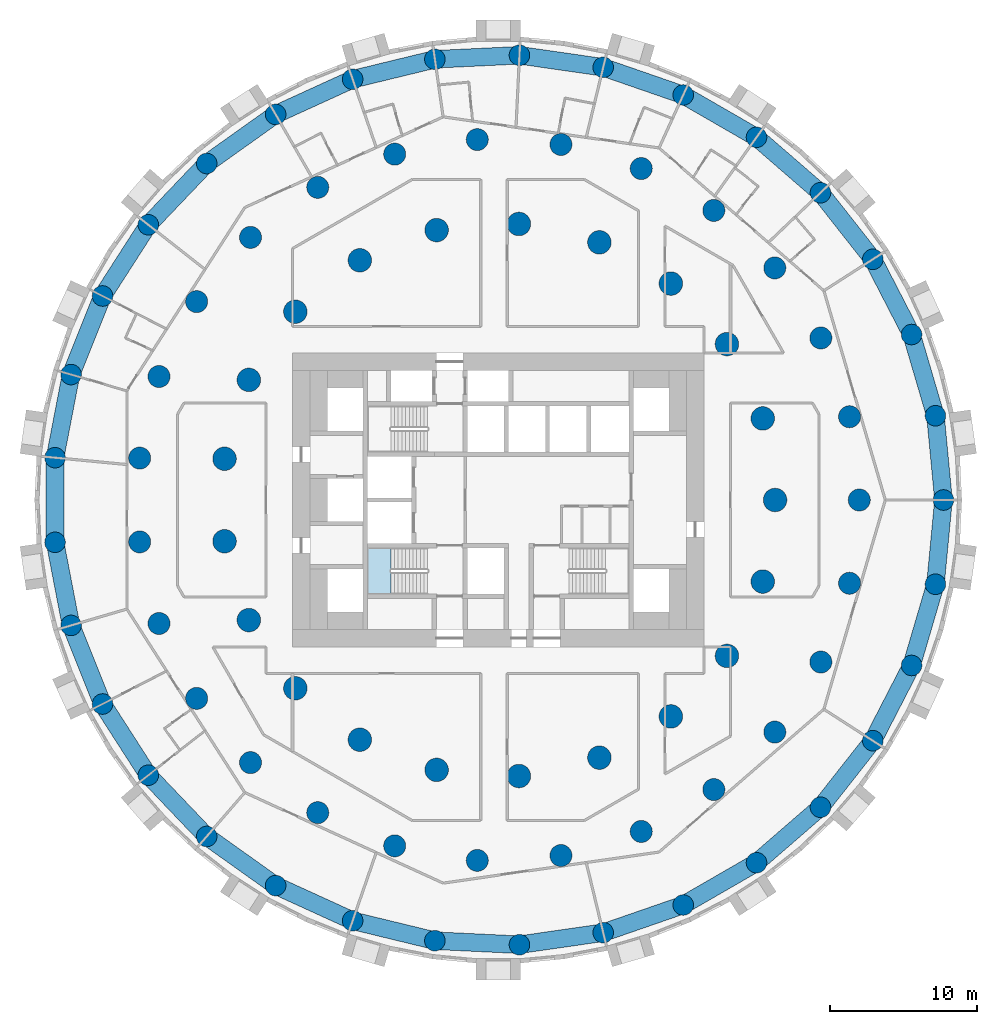
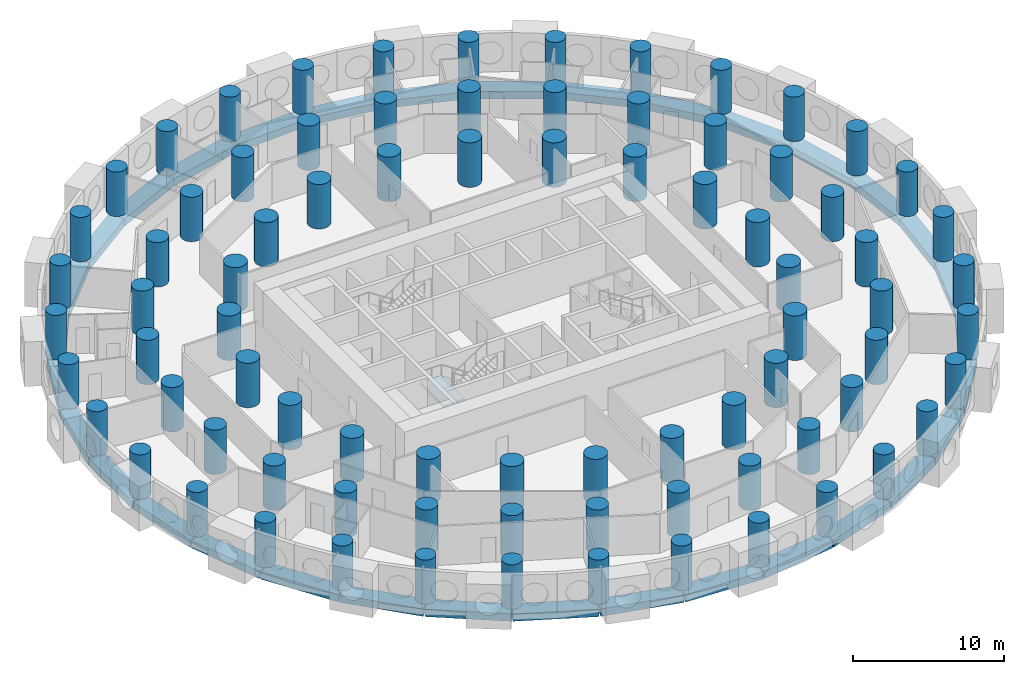
# One storey, part 1 of 12: 81 columns, 33 beams, 1 slab, 1 element without a shape of its own.
"""IFC4 building model written with IfcOpenShell, lengths in metres."""

from ifc_helpers import new_model, si_unit, direction, frame, origin, origin_2d, place, context, subcontext, project, spatial, polyline, rectangle, circle, outline, extrude, material, layer, layer_set, material_profile, profile_set, type_object, element, aggregate, save


model = new_model("IFC4")

# Units and contexts
model_context = context("Model", 3, precision=1e-05, world=origin(), true_north=direction((0.0, 1.0)))
body_context = subcontext(model_context, "Body", "Model", "MODEL_VIEW")
ifc_project = project(units=[si_unit("LENGTHUNIT", "METRE"), si_unit("AREAUNIT", "SQUARE_METRE"), si_unit("VOLUMEUNIT", "CUBIC_METRE"), si_unit("PLANEANGLEUNIT", "RADIAN"), si_unit("MASSUNIT", "GRAM", prefix="KILO")], contexts=[model_context])

# Site, building, storey
site_placement = place(None, origin())
site = spatial("IfcSite", under=ifc_project, at=site_placement, CompositionType="ELEMENT")
building_placement = place(site_placement, origin())
building = spatial("IfcBuilding", under=site, at=building_placement, Name="Tracery Tower", CompositionType="ELEMENT")
storey_placement = place(building_placement, frame((0.0, 0.0, 49.800048828125)))
storey = spatial("IfcBuildingStorey", under=building, at=storey_placement, Name="L11", CompositionType="ELEMENT", Elevation=49.800048828125)

# Columns
ifc_material_1 = material(Name="Concrete C60/75", Category="concrete")
ifc_material_profile_1 = material_profile(ifc_material_1, circle(Radius=0.699951171875, at=origin_2d()), Name="RC D1400")
ifc_profile_set_1 = profile_set([ifc_material_profile_1], Name="Concrete C60/75")
column_type_1 = type_object("IfcColumnType", Name="Ring 0 column 1400", PredefinedType="COLUMN", material=ifc_profile_set_1)
for number, where, z_axis, x_axis, name in (
    (1, (30.274658203125, 0.0, 0.0), (0.0, 0.0, 1.0), (1.0, 0.0, 0.0), "Ring 0 column 00 at L11"),
    (2, (29.7275390625, 5.7294921875, 0.0), (0.0, 0.0, 1.0), (1.0, 0.0, 0.0), "Ring 0 column 01 at L11"),
    (3, (28.10595703125, 11.251953125, 0.0), (0.0, 0.0, 1.0), (1.0, 0.0, 0.0), "Ring 0 column 02 at L11"),
    (4, (25.468505859375, 16.36767578125, 0.0), (0.0, 0.0, 1.0), (1.0, 0.0, 0.0), "Ring 0 column 03 at L11"),
    (5, (21.910888671875, 20.891845703125, 0.0), (0.0, 0.0, 1.0), (1.0, 0.0, 0.0), "Ring 0 column 04 at L11"),
    (6, (17.56103515625, 24.660888671875, 0.0), (0.0, 0.0, 1.0), (1.0, 0.0, 0.0), "Ring 0 column 05 at L11"),
    (7, (12.576416015625, 27.538818359375, 0.0), (0.0, 0.0, 1.0), (1.0, 0.0, 0.0), "Ring 0 column 06 at L11"),
    (8, (7.137451171875, 29.421142578125, 0.0), (0.0, 0.0, 1.0), (1.0, 0.0, 0.0), "Ring 0 column 07 at L11"),
    (9, (1.4404296875, 30.240234375, 0.0), (0.0, 0.0, 1.0), (1.0, 0.0, 0.0), "Ring 0 column 08 at L11"),
    (10, (-4.30859375, 29.96630859375, 0.0), (0.0, 0.0, 1.0), (1.0, 0.0, 0.0), "Ring 0 column 09 at L11"),
    (11, (-9.90185546875, 28.609619140625, 0.0), (0.0, 0.0, 1.0), (1.0, 0.0, 0.0), "Ring 0 column 10 at L11"),
    (12, (-15.13720703125, 26.218505859375, 0.0), (0.0, 0.0, 1.0), (1.0, 0.0, 0.0), "Ring 0 column 11 at L11"),
    (13, (-19.82568359375, 22.8798828125, 0.0), (0.0, 0.0, 1.0), (1.0, 0.0, 0.0), "Ring 0 column 12 at L11"),
    (14, (-23.79736328125, 18.714599609375, 0.0), (0.0, 0.0, 1.0), (1.0, 0.0, 0.0), "Ring 0 column 13 at L11"),
    (15, (-26.9091796875, 13.87255859375, 0.0), (0.0, 0.0, 1.0), (1.0, 0.0, 0.0), "Ring 0 column 14 at L11"),
    (16, (-29.04833984375, 8.529296875, 0.0), (0.0, 0.0, 1.0), (1.0, 0.0, 0.0), "Ring 0 column 15 at L11"),
    (17, (-30.137451171875, 2.877685546875, 0.0), (0.0, 0.0, 1.0), (1.0, 0.0, 0.0), "Ring 0 column 16 at L11"),
    (18, (-30.137451171875, -2.877685546875, 0.0), (0.0, 0.0, 1.0), (1.0, 0.0, 0.0), "Ring 0 column 17 at L11"),
    (19, (-29.04833984375, -8.529296875, 0.0), (0.0, 0.0, 1.0), (1.0, 0.0, 0.0), "Ring 0 column 18 at L11"),
    (20, (-26.9091796875, -13.87255859375, 0.0), (0.0, 0.0, 1.0), (1.0, 0.0, 0.0), "Ring 0 column 19 at L11"),
    (21, (-23.79736328125, -18.714599609375, 0.0), (0.0, 0.0, 1.0), (1.0, 0.0, 0.0), "Ring 0 column 20 at L11"),
    (22, (-19.82568359375, -22.8798828125, 0.0), (0.0, 0.0, 1.0), (1.0, 0.0, 0.0), "Ring 0 column 21 at L11"),
    (23, (-15.13720703125, -26.218505859375, 0.0), (0.0, 0.0, 1.0), (1.0, 0.0, 0.0), "Ring 0 column 22 at L11"),
    (24, (-9.90185546875, -28.609619140625, 0.0), (0.0, 0.0, 1.0), (1.0, 0.0, 0.0), "Ring 0 column 23 at L11"),
    (25, (-4.30859375, -29.96630859375, 0.0), (0.0, 0.0, 1.0), (1.0, 0.0, 0.0), "Ring 0 column 24 at L11"),
    (26, (1.4404296875, -30.240234375, 0.0), (0.0, 0.0, 1.0), (1.0, 0.0, 0.0), "Ring 0 column 25 at L11"),
    (27, (7.137451171875, -29.421142578125, 0.0), (0.0, 0.0, 1.0), (1.0, 0.0, 0.0), "Ring 0 column 26 at L11"),
    (28, (12.576416015625, -27.538818359375, 0.0), (0.0, 0.0, 1.0), (1.0, 0.0, 0.0), "Ring 0 column 27 at L11"),
    (29, (17.56103515625, -24.660888671875, 0.0), (0.0, 0.0, 1.0), (1.0, 0.0, 0.0), "Ring 0 column 28 at L11"),
    (30, (21.910888671875, -20.891845703125, 0.0), (0.0, 0.0, 1.0), (1.0, 0.0, 0.0), "Ring 0 column 29 at L11"),
    (31, (25.468505859375, -16.36767578125, 0.0), (0.0, 0.0, 1.0), (1.0, 0.0, 0.0), "Ring 0 column 30 at L11"),
    (32, (28.10595703125, -11.251953125, 0.0), (0.0, 0.0, 1.0), (1.0, 0.0, 0.0), "Ring 0 column 31 at L11"),
    (33, (29.7275390625, -5.7294921875, 0.0), (0.0, 0.0, 1.0), (1.0, 0.0, 0.0), "Ring 0 column 32 at L11"),
):
    element("IfcColumn", number, at=place(storey_placement, frame(where, z_axis=z_axis, x_axis=x_axis)), inside=storey, type_object=column_type_1, Name=name, PredefinedType="COLUMN", context=body_context, shape_type="SweptSolid", body=[
        extrude(circle(Radius=0.699951171875, at=origin_2d()), origin(), (0.0, 0.0, 1.0), 3.599853515625),
    ])
ifc_material_2 = material(Name="Concrete C60/75", Category="concrete")
ifc_material_profile_2 = material_profile(ifc_material_2, circle(Radius=0.75, at=origin_2d()), Name="RC D1500")
ifc_profile_set_2 = profile_set([ifc_material_profile_2], Name="Concrete C60/75")
column_type_2 = type_object("IfcColumnType", Name="Ring 1 column 1500", PredefinedType="COLUMN", material=ifc_profile_set_2)
for number, where, z_axis, x_axis, name in (
    (34, (24.547607421875, 0.0, 0.0), (0.0, 0.0, 1.0), (1.0, 0.0, 0.0), "Ring 1 column 00 at L11"),
    (35, (23.885986328125, 5.6611328125, 0.0), (0.0, 0.0, 1.0), (1.0, 0.0, 0.0), "Ring 1 column 01 at L11"),
    (36, (21.9365234375, 11.01708984375, 0.0), (0.0, 0.0, 1.0), (1.0, 0.0, 0.0), "Ring 1 column 02 at L11"),
    (37, (18.8046875, 15.779052734375, 0.0), (0.0, 0.0, 1.0), (1.0, 0.0, 0.0), "Ring 1 column 03 at L11"),
    (38, (14.658935546875, 19.690185546875, 0.0), (0.0, 0.0, 1.0), (1.0, 0.0, 0.0), "Ring 1 column 04 at L11"),
    (39, (9.722900390625, 22.5400390625, 0.0), (0.0, 0.0, 1.0), (1.0, 0.0, 0.0), "Ring 1 column 05 at L11"),
    (40, (4.2626953125, 24.1748046875, 0.0), (0.0, 0.0, 1.0), (1.0, 0.0, 0.0), "Ring 1 column 06 at L11"),
    (41, (-1.42724609375, 24.506103515625, 0.0), (0.0, 0.0, 1.0), (1.0, 0.0, 0.0), "Ring 1 column 07 at L11"),
    (42, (-7.040283203125, 23.516357421875, 0.0), (0.0, 0.0, 1.0), (1.0, 0.0, 0.0), "Ring 1 column 08 at L11"),
    (43, (-12.273681640625, 21.2587890625, 0.0), (0.0, 0.0, 1.0), (1.0, 0.0, 0.0), "Ring 1 column 09 at L11"),
    (44, (-16.845703125, 17.855224609375, 0.0), (0.0, 0.0, 1.0), (1.0, 0.0, 0.0), "Ring 1 column 10 at L11"),
    (45, (-20.50927734375, 13.4892578125, 0.0), (0.0, 0.0, 1.0), (1.0, 0.0, 0.0), "Ring 1 column 11 at L11"),
    (46, (-23.0673828125, 8.395751953125, 0.0), (0.0, 0.0, 1.0), (1.0, 0.0, 0.0), "Ring 1 column 12 at L11"),
    (47, (-24.381591796875, 2.849853515625, 0.0), (0.0, 0.0, 1.0), (1.0, 0.0, 0.0), "Ring 1 column 13 at L11"),
    (48, (-24.381591796875, -2.849853515625, 0.0), (0.0, 0.0, 1.0), (1.0, 0.0, 0.0), "Ring 1 column 14 at L11"),
    (49, (-23.0673828125, -8.395751953125, 0.0), (0.0, 0.0, 1.0), (1.0, 0.0, 0.0), "Ring 1 column 15 at L11"),
    (50, (-20.50927734375, -13.4892578125, 0.0), (0.0, 0.0, 1.0), (1.0, 0.0, 0.0), "Ring 1 column 16 at L11"),
    (51, (-16.845703125, -17.85546875, 0.0), (0.0, 0.0, 1.0), (1.0, 0.0, 0.0), "Ring 1 column 17 at L11"),
    (52, (-12.27392578125, -21.2587890625, 0.0), (0.0, 0.0, 1.0), (1.0, 0.0, 0.0), "Ring 1 column 18 at L11"),
    (53, (-7.040283203125, -23.516357421875, 0.0), (0.0, 0.0, 1.0), (1.0, 0.0, 0.0), "Ring 1 column 19 at L11"),
    (54, (-1.42724609375, -24.506103515625, 0.0), (0.0, 0.0, 1.0), (1.0, 0.0, 0.0), "Ring 1 column 20 at L11"),
    (55, (4.2626953125, -24.1748046875, 0.0), (0.0, 0.0, 1.0), (1.0, 0.0, 0.0), "Ring 1 column 21 at L11"),
    (56, (9.722900390625, -22.5400390625, 0.0), (0.0, 0.0, 1.0), (1.0, 0.0, 0.0), "Ring 1 column 22 at L11"),
    (57, (14.658935546875, -19.690185546875, 0.0), (0.0, 0.0, 1.0), (1.0, 0.0, 0.0), "Ring 1 column 23 at L11"),
    (58, (18.8046875, -15.779052734375, 0.0), (0.0, 0.0, 1.0), (1.0, 0.0, 0.0), "Ring 1 column 24 at L11"),
    (59, (21.9365234375, -11.01708984375, 0.0), (0.0, 0.0, 1.0), (1.0, 0.0, 0.0), "Ring 1 column 25 at L11"),
    (60, (23.885986328125, -5.6611328125, 0.0), (0.0, 0.0, 1.0), (1.0, 0.0, 0.0), "Ring 1 column 26 at L11"),
):
    element("IfcColumn", number, at=place(storey_placement, frame(where, z_axis=z_axis, x_axis=x_axis)), inside=storey, type_object=column_type_2, Name=name, PredefinedType="COLUMN", context=body_context, shape_type="SweptSolid", body=[
        extrude(circle(Radius=0.75, at=origin_2d()), origin(), (0.0, 0.0, 1.0), 3.599853515625),
    ])
ifc_material_3 = material(Name="Concrete C60/75", Category="concrete")
ifc_material_profile_3 = material_profile(ifc_material_3, circle(Radius=0.800048828125, at=origin_2d()), Name="RC D1600")
ifc_profile_set_3 = profile_set([ifc_material_profile_3], Name="Concrete C60/75")
column_type_3 = type_object("IfcColumnType", Name="Ring 2 column 1600", PredefinedType="COLUMN", material=ifc_profile_set_3)
for number, where, z_axis, x_axis, name in (
    (61, (18.822265625, 0.0, 0.0), (0.0, 0.0, 1.0), (1.0, 0.0, 0.0), "Ring 2 column 00 at L11"),
    (62, (17.986083984375, 5.5478515625, 0.0), (0.0, 0.0, 1.0), (1.0, 0.0, 0.0), "Ring 2 column 01 at L11"),
    (63, (15.551513671875, 10.602783203125, 0.0), (0.0, 0.0, 1.0), (1.0, 0.0, 0.0), "Ring 2 column 02 at L11"),
    (64, (11.7353515625, 14.7158203125, 0.0), (0.0, 0.0, 1.0), (1.0, 0.0, 0.0), "Ring 2 column 03 at L11"),
    (65, (6.87646484375, 17.52099609375, 0.0), (0.0, 0.0, 1.0), (1.0, 0.0, 0.0), "Ring 2 column 04 at L11"),
    (66, (1.406494140625, 18.76953125, 0.0), (0.0, 0.0, 1.0), (1.0, 0.0, 0.0), "Ring 2 column 05 at L11"),
    (67, (-4.188232421875, 18.350341796875, 0.0), (0.0, 0.0, 1.0), (1.0, 0.0, 0.0), "Ring 2 column 06 at L11"),
    (68, (-9.4111328125, 16.300537109375, 0.0), (0.0, 0.0, 1.0), (1.0, 0.0, 0.0), "Ring 2 column 07 at L11"),
    (69, (-13.797607421875, 12.802490234375, 0.0), (0.0, 0.0, 1.0), (1.0, 0.0, 0.0), "Ring 2 column 08 at L11"),
    (70, (-16.958251953125, 8.16650390625, 0.0), (0.0, 0.0, 1.0), (1.0, 0.0, 0.0), "Ring 2 column 09 at L11"),
    (71, (-18.612060546875, 2.805419921875, 0.0), (0.0, 0.0, 1.0), (1.0, 0.0, 0.0), "Ring 2 column 10 at L11"),
    (72, (-18.612060546875, -2.805419921875, 0.0), (0.0, 0.0, 1.0), (1.0, 0.0, 0.0), "Ring 2 column 11 at L11"),
    (73, (-16.958251953125, -8.166748046875, 0.0), (0.0, 0.0, 1.0), (1.0, 0.0, 0.0), "Ring 2 column 12 at L11"),
    (74, (-13.797607421875, -12.80224609375, 0.0), (0.0, 0.0, 1.0), (1.0, 0.0, 0.0), "Ring 2 column 13 at L11"),
    (75, (-9.4111328125, -16.300537109375, 0.0), (0.0, 0.0, 1.0), (1.0, 0.0, 0.0), "Ring 2 column 14 at L11"),
    (76, (-4.188232421875, -18.350341796875, 0.0), (0.0, 0.0, 1.0), (1.0, 0.0, 0.0), "Ring 2 column 15 at L11"),
    (77, (1.406494140625, -18.76953125, 0.0), (0.0, 0.0, 1.0), (1.0, 0.0, 0.0), "Ring 2 column 16 at L11"),
    (78, (6.87646484375, -17.52099609375, 0.0), (0.0, 0.0, 1.0), (1.0, 0.0, 0.0), "Ring 2 column 17 at L11"),
    (79, (11.7353515625, -14.7158203125, 0.0), (0.0, 0.0, 1.0), (1.0, 0.0, 0.0), "Ring 2 column 18 at L11"),
    (80, (15.551513671875, -10.602783203125, 0.0), (0.0, 0.0, 1.0), (1.0, 0.0, 0.0), "Ring 2 column 19 at L11"),
    (81, (17.986083984375, -5.5478515625, 0.0), (0.0, 0.0, 1.0), (1.0, 0.0, 0.0), "Ring 2 column 20 at L11"),
):
    element("IfcColumn", number, at=place(storey_placement, frame(where, z_axis=z_axis, x_axis=x_axis)), inside=storey, type_object=column_type_3, Name=name, PredefinedType="COLUMN", context=body_context, shape_type="SweptSolid", body=[
        extrude(circle(Radius=0.800048828125, at=origin_2d()), origin(), (0.0, 0.0, 1.0), 3.599853515625),
    ])

# Beams
ifc_material_4 = material(Name="Concrete C60/75", Category="concrete")
ifc_material_profile_4 = material_profile(ifc_material_4, rectangle(XDim=1.199951171875, YDim=0.60009765625, at=origin_2d()), Name="RC 1200x600")
ifc_profile_set_4 = profile_set([ifc_material_profile_4], Name="Concrete C60/75")
beam_type = type_object("IfcBeamType", Name="Perimeter band beam 1200x600", PredefinedType="BEAM", material=ifc_profile_set_4)
for number, where, z_axis, x_axis, name in (
    (82, (30.274658203125, 0.0, -0.75), (-0.095059309677, 0.995471610667, 0.0), (-0.995471610667, -0.095059309677, 0.0), "Perimeter beam 0.00 under L11"),
    (83, (29.7275390625, 5.7294921875, -0.75), (-0.281739145896, 0.959491038869, 0.0), (-0.959491038869, -0.281739145896, 0.0), "Perimeter beam 0.01 under L11"),
    (84, (28.10595703125, 11.251953125, -0.75), (-0.458242010493, 0.88882746347, 0.0), (-0.88882746347, -0.458242010493, 0.0), "Perimeter beam 0.02 under L11"),
):
    element("IfcBeam", number, at=place(storey_placement, frame(where, z_axis=z_axis, x_axis=x_axis)), inside=storey, type_object=beam_type, Name=name, PredefinedType="BEAM", context=body_context, shape_type="SweptSolid", body=[
        extrude(rectangle(XDim=1.199951171875, YDim=0.60009765625, at=origin_2d()), origin(), (0.0, 0.0, 1.0), 5.755615234375),
    ])
beam_1_placement = place(storey_placement, frame((25.468505859375, 16.36767578125, -0.75), z_axis=(-0.618134362257, 0.786072458618, 0.0), x_axis=(-0.786072458618, -0.618134362257, 0.0)))
element("IfcBeam", 85, at=beam_1_placement, inside=storey, type_object=beam_type, Name="Perimeter beam 0.03 under L11", PredefinedType="BEAM", context=body_context, shape_type="SweptSolid", body=[
    extrude(rectangle(XDim=1.199951171875, YDim=0.60009765625, at=origin_2d()), origin(), (0.0, 0.0, 1.0), 5.75537109375),
])
beam_2_placement = place(storey_placement, frame((21.910888671875, 20.891845703125, -0.75), z_axis=(-0.755760456715, 0.65484817482, 0.0), x_axis=(-0.65484817482, -0.755760456715, 0.0)))
element("IfcBeam", 86, at=beam_2_placement, inside=storey, type_object=beam_type, Name="Perimeter beam 0.04 under L11", PredefinedType="BEAM", context=body_context, shape_type="SweptSolid", body=[
    extrude(rectangle(XDim=1.199951171875, YDim=0.60009765625, at=origin_2d()), origin(), (0.0, 0.0, 1.0), 5.755615234375),
])
beam_3_placement = place(storey_placement, frame((17.56103515625, 24.660888671875, -0.75), z_axis=(-0.866021003874, 0.50000762079, 0.0), x_axis=(-0.50000762079, -0.866021003874, 0.0)))
element("IfcBeam", 87, at=beam_3_placement, inside=storey, type_object=beam_type, Name="Perimeter beam 0.05 under L11", PredefinedType="BEAM", context=body_context, shape_type="SweptSolid", body=[
    extrude(rectangle(XDim=1.199951171875, YDim=0.60009765625, at=origin_2d()), origin(), (0.0, 0.0, 1.0), 5.755859375),
])
beam_4_placement = place(storey_placement, frame((12.576416015625, 27.538818359375, -0.75), z_axis=(-0.945007252869, 0.327049372458, 0.0), x_axis=(-0.327049372458, -0.945007252869, 0.0)))
element("IfcBeam", 88, at=beam_4_placement, inside=storey, type_object=beam_type, Name="Perimeter beam 0.06 under L11", PredefinedType="BEAM", context=body_context, shape_type="SweptSolid", body=[
    extrude(rectangle(XDim=1.199951171875, YDim=0.60009765625, at=origin_2d()), origin(), (0.0, 0.0, 1.0), 5.75537109375),
])
for number, where, z_axis, x_axis, name in (
    (89, (7.137451171875, 29.421142578125, -0.75), (-0.989821839174, 0.142312075013, 0.0), (-0.142312075013, -0.989821839174, 0.0), "Perimeter beam 0.07 under L11"),
    (90, (1.4404296875, 30.240234375, -0.75), (-0.998866793759, -0.047593364303, 0.0), (0.047593364303, -0.998866793759, 0.0), "Perimeter beam 0.08 under L11"),
):
    element("IfcBeam", number, at=place(storey_placement, frame(where, z_axis=z_axis, x_axis=x_axis)), inside=storey, type_object=beam_type, Name=name, PredefinedType="BEAM", context=body_context, shape_type="SweptSolid", body=[
        extrude(rectangle(XDim=1.199951171875, YDim=0.60009765625, at=origin_2d()), origin(), (0.0, 0.0, 1.0), 5.755615234375),
    ])
beam_5_placement = place(storey_placement, frame((-4.30859375, 29.96630859375, -0.75), z_axis=(-0.971820371509, -0.235722645328, 0.0), x_axis=(0.235722645328, -0.971820371509, 0.0)))
element("IfcBeam", 91, at=beam_5_placement, inside=storey, type_object=beam_type, Name="Perimeter beam 0.09 under L11", PredefinedType="BEAM", context=body_context, shape_type="SweptSolid", body=[
    extrude(rectangle(XDim=1.199951171875, YDim=0.60009765625, at=origin_2d()), origin(), (0.0, 0.0, 1.0), 5.75537109375),
])
for number, where, z_axis, x_axis, name in (
    (92, (-9.90185546875, 28.609619140625, -0.75), (-0.909618316865, -0.415444963411, 0.0), (0.415444963411, -0.909618316865, 0.0), "Perimeter beam 0.10 under L11"),
    (93, (-15.13720703125, 26.218505859375, -0.75), (-0.8145780864, -0.580053912285, 0.0), (0.580053912285, -0.8145780864, 0.0), "Perimeter beam 0.11 under L11"),
):
    element("IfcBeam", number, at=place(storey_placement, frame(where, z_axis=z_axis, x_axis=x_axis)), inside=storey, type_object=beam_type, Name=name, PredefinedType="BEAM", context=body_context, shape_type="SweptSolid", body=[
        extrude(rectangle(XDim=1.199951171875, YDim=0.60009765625, at=origin_2d()), origin(), (0.0, 0.0, 1.0), 5.755615234375),
    ])
beam_6_placement = place(storey_placement, frame((-19.82568359375, 22.8798828125, -0.75), z_axis=(-0.690087218267, -0.723726212863, 0.0), x_axis=(0.723726212863, -0.690087218267, 0.0)))
element("IfcBeam", 94, at=beam_6_placement, inside=storey, type_object=beam_type, Name="Perimeter beam 0.12 under L11", PredefinedType="BEAM", context=body_context, shape_type="SweptSolid", body=[
    extrude(rectangle(XDim=1.199951171875, YDim=0.60009765625, at=origin_2d()), origin(), (0.0, 0.0, 1.0), 5.75537109375),
])
beam_7_placement = place(storey_placement, frame((-23.79736328125, 18.714599609375, -0.75), z_axis=(-0.540643964602, -0.841251510274, 0.0), x_axis=(0.841251510274, -0.540643964602, 0.0)))
element("IfcBeam", 95, at=beam_7_placement, inside=storey, type_object=beam_type, Name="Perimeter beam 0.13 under L11", PredefinedType="BEAM", context=body_context, shape_type="SweptSolid", body=[
    extrude(rectangle(XDim=1.199951171875, YDim=0.60009765625, at=origin_2d()), origin(), (0.0, 0.0, 1.0), 5.755859375),
])
for number, where, z_axis, x_axis, name in (
    (96, (-26.9091796875, 13.87255859375, -0.75), (-0.371668572289, -0.928365484264, 0.0), (0.928365484264, -0.371668572289, 0.0), "Perimeter beam 0.14 under L11"),
    (97, (-29.04833984375, 8.529296875, -0.75), (-0.189226539295, -0.981933458451, 0.0), (0.981933458451, -0.189226539295, 0.0), "Perimeter beam 0.15 under L11"),
):
    element("IfcBeam", number, at=place(storey_placement, frame(where, z_axis=z_axis, x_axis=x_axis)), inside=storey, type_object=beam_type, Name=name, PredefinedType="BEAM", context=body_context, shape_type="SweptSolid", body=[
        extrude(rectangle(XDim=1.199951171875, YDim=0.60009765625, at=origin_2d()), origin(), (0.0, 0.0, 1.0), 5.755615234375),
    ])
beam_8_placement = place(storey_placement, frame((-30.137451171875, 2.877685546875, -0.75), z_axis=(0.0, -1.0, 0.0), x_axis=(1.0, 0.0, 0.0)))
element("IfcBeam", 98, at=beam_8_placement, inside=storey, type_object=beam_type, Name="Perimeter beam 0.16 under L11", PredefinedType="BEAM", context=body_context, shape_type="SweptSolid", body=[
    extrude(rectangle(XDim=1.199951171875, YDim=0.60009765625, at=origin_2d()), origin(), (0.0, 0.0, 1.0), 5.75537109375),
])
for number, where, z_axis, x_axis, name in (
    (99, (-30.137451171875, -2.877685546875, -0.75), (0.189226539295, -0.981933458451, 0.0), (0.981933458451, 0.189226539295, 0.0), "Perimeter beam 0.17 under L11"),
    (100, (-29.04833984375, -8.529296875, -0.75), (0.371668572289, -0.928365484264, 0.0), (0.928365484264, 0.371668572289, 0.0), "Perimeter beam 0.18 under L11"),
):
    element("IfcBeam", number, at=place(storey_placement, frame(where, z_axis=z_axis, x_axis=x_axis)), inside=storey, type_object=beam_type, Name=name, PredefinedType="BEAM", context=body_context, shape_type="SweptSolid", body=[
        extrude(rectangle(XDim=1.199951171875, YDim=0.60009765625, at=origin_2d()), origin(), (0.0, 0.0, 1.0), 5.755615234375),
    ])
beam_9_placement = place(storey_placement, frame((-26.9091796875, -13.87255859375, -0.75), z_axis=(0.540643964602, -0.841251510274, 0.0), x_axis=(0.841251510274, 0.540643964602, 0.0)))
element("IfcBeam", 101, at=beam_9_placement, inside=storey, type_object=beam_type, Name="Perimeter beam 0.19 under L11", PredefinedType="BEAM", context=body_context, shape_type="SweptSolid", body=[
    extrude(rectangle(XDim=1.199951171875, YDim=0.60009765625, at=origin_2d()), origin(), (0.0, 0.0, 1.0), 5.755859375),
])
beam_10_placement = place(storey_placement, frame((-23.79736328125, -18.714599609375, -0.75), z_axis=(0.690087218267, -0.723726212863, 0.0), x_axis=(0.723726212863, 0.690087218267, 0.0)))
element("IfcBeam", 102, at=beam_10_placement, inside=storey, type_object=beam_type, Name="Perimeter beam 0.20 under L11", PredefinedType="BEAM", context=body_context, shape_type="SweptSolid", body=[
    extrude(rectangle(XDim=1.199951171875, YDim=0.60009765625, at=origin_2d()), origin(), (0.0, 0.0, 1.0), 5.75537109375),
])
for number, where, z_axis, x_axis, name in (
    (103, (-19.82568359375, -22.8798828125, -0.75), (0.8145780864, -0.580053912285, 0.0), (0.580053912285, 0.8145780864, 0.0), "Perimeter beam 0.21 under L11"),
    (104, (-15.13720703125, -26.218505859375, -0.75), (0.909618316865, -0.415444963411, 0.0), (0.415444963411, 0.909618316865, 0.0), "Perimeter beam 0.22 under L11"),
):
    element("IfcBeam", number, at=place(storey_placement, frame(where, z_axis=z_axis, x_axis=x_axis)), inside=storey, type_object=beam_type, Name=name, PredefinedType="BEAM", context=body_context, shape_type="SweptSolid", body=[
        extrude(rectangle(XDim=1.199951171875, YDim=0.60009765625, at=origin_2d()), origin(), (0.0, 0.0, 1.0), 5.755615234375),
    ])
beam_11_placement = place(storey_placement, frame((-9.90185546875, -28.609619140625, -0.75), z_axis=(0.971820371509, -0.235722645328, 0.0), x_axis=(0.235722645328, 0.971820371509, 0.0)))
element("IfcBeam", 105, at=beam_11_placement, inside=storey, type_object=beam_type, Name="Perimeter beam 0.23 under L11", PredefinedType="BEAM", context=body_context, shape_type="SweptSolid", body=[
    extrude(rectangle(XDim=1.199951171875, YDim=0.60009765625, at=origin_2d()), origin(), (0.0, 0.0, 1.0), 5.75537109375),
])
for number, where, z_axis, x_axis, name in (
    (106, (-4.30859375, -29.96630859375, -0.75), (0.998866793759, -0.047593364303, 0.0), (0.047593364303, 0.998866793759, 0.0), "Perimeter beam 0.24 under L11"),
    (107, (1.4404296875, -30.240234375, -0.75), (0.989821839174, 0.142312075013, 0.0), (-0.142312075013, 0.989821839174, 0.0), "Perimeter beam 0.25 under L11"),
):
    element("IfcBeam", number, at=place(storey_placement, frame(where, z_axis=z_axis, x_axis=x_axis)), inside=storey, type_object=beam_type, Name=name, PredefinedType="BEAM", context=body_context, shape_type="SweptSolid", body=[
        extrude(rectangle(XDim=1.199951171875, YDim=0.60009765625, at=origin_2d()), origin(), (0.0, 0.0, 1.0), 5.755615234375),
    ])
beam_12_placement = place(storey_placement, frame((7.137451171875, -29.421142578125, -0.75), z_axis=(0.945007252869, 0.327049372458, 0.0), x_axis=(-0.327049372458, 0.945007252869, 0.0)))
element("IfcBeam", 108, at=beam_12_placement, inside=storey, type_object=beam_type, Name="Perimeter beam 0.26 under L11", PredefinedType="BEAM", context=body_context, shape_type="SweptSolid", body=[
    extrude(rectangle(XDim=1.199951171875, YDim=0.60009765625, at=origin_2d()), origin(), (0.0, 0.0, 1.0), 5.75537109375),
])
beam_13_placement = place(storey_placement, frame((12.576416015625, -27.538818359375, -0.75), z_axis=(0.866021003874, 0.50000762079, 0.0), x_axis=(-0.50000762079, 0.866021003874, 0.0)))
element("IfcBeam", 109, at=beam_13_placement, inside=storey, type_object=beam_type, Name="Perimeter beam 0.27 under L11", PredefinedType="BEAM", context=body_context, shape_type="SweptSolid", body=[
    extrude(rectangle(XDim=1.199951171875, YDim=0.60009765625, at=origin_2d()), origin(), (0.0, 0.0, 1.0), 5.755859375),
])
beam_14_placement = place(storey_placement, frame((17.56103515625, -24.660888671875, -0.75), z_axis=(0.755760456715, 0.65484817482, 0.0), x_axis=(-0.65484817482, 0.755760456715, 0.0)))
element("IfcBeam", 110, at=beam_14_placement, inside=storey, type_object=beam_type, Name="Perimeter beam 0.28 under L11", PredefinedType="BEAM", context=body_context, shape_type="SweptSolid", body=[
    extrude(rectangle(XDim=1.199951171875, YDim=0.60009765625, at=origin_2d()), origin(), (0.0, 0.0, 1.0), 5.755615234375),
])
beam_15_placement = place(storey_placement, frame((21.910888671875, -20.891845703125, -0.75), z_axis=(0.618134362257, 0.786072458618, 0.0), x_axis=(-0.786072458618, 0.618134362257, 0.0)))
element("IfcBeam", 111, at=beam_15_placement, inside=storey, type_object=beam_type, Name="Perimeter beam 0.29 under L11", PredefinedType="BEAM", context=body_context, shape_type="SweptSolid", body=[
    extrude(rectangle(XDim=1.199951171875, YDim=0.60009765625, at=origin_2d()), origin(), (0.0, 0.0, 1.0), 5.75537109375),
])
for number, where, z_axis, x_axis, name in (
    (112, (25.468505859375, -16.36767578125, -0.75), (0.458242010493, 0.88882746347, 0.0), (-0.88882746347, 0.458242010493, 0.0), "Perimeter beam 0.30 under L11"),
    (113, (28.10595703125, -11.251953125, -0.75), (0.281739145896, 0.959491038869, 0.0), (-0.959491038869, 0.281739145896, 0.0), "Perimeter beam 0.31 under L11"),
    (114, (29.7275390625, -5.7294921875, -0.75), (0.095059309677, 0.995471610667, 0.0), (-0.995471610667, 0.095059309677, 0.0), "Perimeter beam 0.32 under L11"),
):
    element("IfcBeam", number, at=place(storey_placement, frame(where, z_axis=z_axis, x_axis=x_axis)), inside=storey, type_object=beam_type, Name=name, PredefinedType="BEAM", context=body_context, shape_type="SweptSolid", body=[
        extrude(rectangle(XDim=1.199951171875, YDim=0.60009765625, at=origin_2d()), origin(), (0.0, 0.0, 1.0), 5.755615234375),
    ])

# Stair, slab
ifc_material_5 = material(Name="Concrete C32/40", Category="concrete")
stair_type = type_object("IfcStairType", Name="Core stair 22 risers", PredefinedType="HALF_TURN_STAIR", material=ifc_material_5)
stair_placement = place(storey_placement, origin())
stair = element("IfcStair", 115, at=stair_placement, inside=storey, type_object=stair_type, Name="L11 stair ST1", PredefinedType="HALF_TURN_STAIR")
ifc_material_6 = material(Name="Concrete C32/40", Category="concrete")
ifc_layer = layer(ifc_material_6, 0.199951171875)
ifc_layer_set = layer_set([ifc_layer], Name="Stair landing slab 200")
slab_type = type_object("IfcSlabType", Name="Stair landing slab 200", PredefinedType="LANDING", material=ifc_layer_set)
slab_placement = place(storey_placement, frame((0.0, 0.0, 1.599853515625)))
slab = element("IfcSlab", 116, at=slab_placement, type_object=slab_type, Name="ST1 landing 1", PredefinedType="LANDING", context=body_context, shape_type="SweptSolid", body=[
    extrude(outline(polyline([(-7.29931640625, -3.25), (-8.89990234375, -3.25), (-8.89990234375, -6.39990234375), (-7.29931640625, -6.39990234375), (-7.29931640625, -3.25)])), origin(), (0.0, 0.0, 1.0), 0.2001953125),
])
aggregate(stair, [slab])

save(model, "model.ifc")
